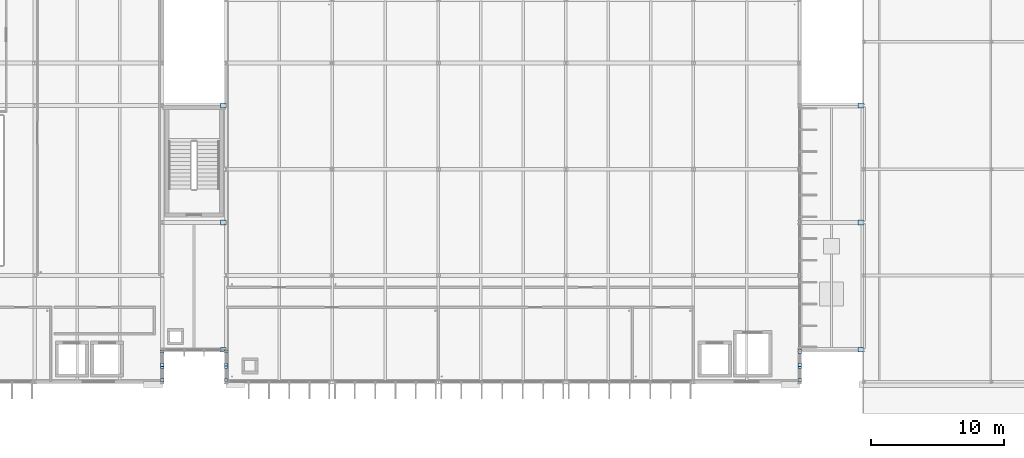
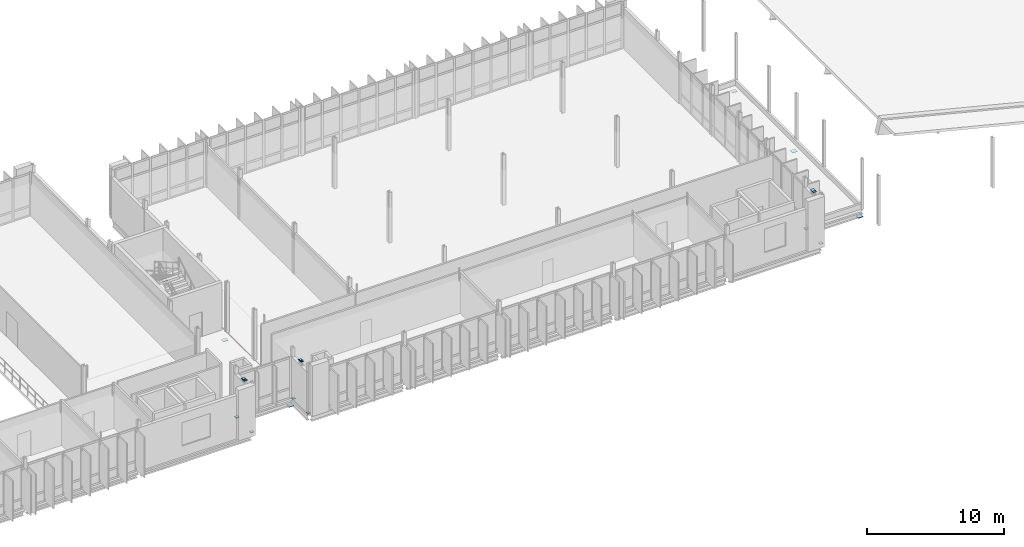
# One storey, part 49 of 93: 18 plates.
"""IFC4 building model written with IfcOpenShell, lengths in metres."""

import ifcopenshell
import ifcopenshell.guid

model = None  # the IFC model being written
_history = None  # IfcOwnerHistory: only IFC2X3 demands one
_inside = {}  # id of a spatial element -> (the spatial element, [elements in it])
_under = {}  # id of a project, library or spatial element -> (it, [spatial elements below it])
_declared = {}  # id of a project -> (the project, [libraries it declares])
_typed = {}  # id of a type object -> (the type object, [elements of that type])
_made_of = {}  # id of a material, layer set ... -> (it, [elements and type objects made of it])


def new_model(schema):
    """Start an empty IFC model of exactly this schema.

    Asked for "IFC4X3", IfcOpenShell would pick the latest addendum, in which some entities
    have other attributes; the version numbers below select the first issue.
    IFC2X3 requires an IfcOwnerHistory on every rooted entity: one is made here for all.
    """
    global model, _history
    if schema == "IFC4X3":
        model = ifcopenshell.file(schema_version=(4, 3, 0, 0))
    else:
        model = ifcopenshell.file(schema=schema)
    _inside.clear()
    _under.clear()
    _declared.clear()
    _typed.clear()
    _made_of.clear()
    _history = None
    if model.schema == "IFC2X3":
        org = make("IfcOrganization", Name="unknown")
        user = make(
            "IfcPersonAndOrganization",
            ThePerson=make("IfcPerson", FamilyName="unknown"),
            TheOrganization=org,
        )
        app = make(
            "IfcApplication",
            ApplicationDeveloper=org,
            Version="unknown",
            ApplicationFullName="unknown",
            ApplicationIdentifier="unknown",
        )
        _history = make(
            "IfcOwnerHistory",
            OwningUser=user,
            OwningApplication=app,
            ChangeAction="ADDED",
            CreationDate=0,
        )
    return model


def make(cls, **values):
    """One entity of the class cls with the attributes given. An attribute that is None is left unset."""
    return model.create_entity(
        cls, **{name: value for name, value in values.items() if value is not None}
    )


def rooted(cls, **values):
    """An entity with a GlobalId (a new one), such as an element, a storey or a relation."""
    return make(cls, GlobalId=ifcopenshell.guid.new(), OwnerHistory=_history, **values)


def si_unit(unit_type, name, prefix=None):
    """IfcSIUnit, for example si_unit("LENGTHUNIT", "METRE", prefix="MILLI")."""
    return make("IfcSIUnit", UnitType=unit_type, Prefix=prefix, Name=name)


def assignment(units):
    """IfcUnitAssignment: the units of a project."""
    return None if units is None else make("IfcUnitAssignment", Units=units)


def point(xyz):
    """IfcCartesianPoint."""
    return None if xyz is None else make("IfcCartesianPoint", Coordinates=xyz)


def direction(xyz):
    """IfcDirection."""
    return None if xyz is None else make("IfcDirection", DirectionRatios=xyz)


def frame(location, z_axis=None, x_axis=None):
    """IfcAxis2Placement3D, a coordinate frame: its origin and axes. An axis left out is left unset."""
    return make(
        "IfcAxis2Placement3D",
        Location=point(location),
        Axis=direction(z_axis),
        RefDirection=direction(x_axis),
    )


def frame_2d(location, x_axis=None):
    """IfcAxis2Placement2D, a coordinate frame in the plane: its origin and x axis."""
    return make(
        "IfcAxis2Placement2D", Location=point(location), RefDirection=direction(x_axis)
    )


def origin():
    """The frame at (0, 0, 0) with its axes left unset."""
    return frame((0.0, 0.0, 0.0))


def origin_2d():
    """The frame at (0, 0) in the plane with its x axis left unset."""
    return frame_2d((0.0, 0.0))


def place(relative_to, where):
    """IfcLocalPlacement: puts the frame where relative to a parent placement (None: the world)."""
    return make(
        "IfcLocalPlacement", PlacementRelTo=relative_to, RelativePlacement=where
    )


def context(
    kind, dimensions, precision=None, world=None, true_north=None, identifier=None
):
    """IfcGeometricRepresentationContext, for example the 3D "Model" context."""
    return make(
        "IfcGeometricRepresentationContext",
        ContextIdentifier=identifier,
        ContextType=kind,
        CoordinateSpaceDimension=dimensions,
        Precision=precision,
        WorldCoordinateSystem=world,
        TrueNorth=true_north,
    )


def subcontext(parent, identifier, kind, view, scale=None):
    """IfcGeometricRepresentationSubContext, for example "Body" below "Model"."""
    return make(
        "IfcGeometricRepresentationSubContext",
        ContextIdentifier=identifier,
        ContextType=kind,
        ParentContext=parent,
        TargetScale=scale,
        TargetView=view,
    )


def project(units=None, contexts=None):
    """IfcProject with its units and contexts."""
    return rooted(
        "IfcProject",
        Name="project",
        RepresentationContexts=contexts,
        UnitsInContext=assignment(units),
    )


def spatial(cls, under=None, at=None, **own):
    """A site, building, storey or space (cls), placed at a placement, below another one or the project."""
    s = rooted(cls, ObjectPlacement=at, **own)
    if under is not None:
        _under.setdefault(under.id(), (under, []))[1].append(s)
    return s


def profile(cls, at=None, kind="AREA", **sizes):
    """A parametric profile (cls). Its sizes go by their IFC names, for example OverallWidth=200.0."""
    return make(cls, ProfileType=kind, Position=at, **sizes)


def rectangle(**sizes):
    """IfcRectangleProfileDef."""
    return profile("IfcRectangleProfileDef", **sizes)


def extrude(swept, where, along, depth):
    """IfcExtrudedAreaSolid: the profile swept, set in the frame where, extruded along a direction by depth."""
    return make(
        "IfcExtrudedAreaSolid",
        SweptArea=swept,
        Position=where,
        ExtrudedDirection=direction(along),
        Depth=depth,
    )


def shape(context_of_items, identifier, shape_type, items):
    """IfcShapeRepresentation: the items that make up one representation, for example the "Body"."""
    return make(
        "IfcShapeRepresentation",
        ContextOfItems=context_of_items,
        RepresentationIdentifier=identifier,
        RepresentationType=shape_type,
        Items=items,
    )


def material(Name=None, Category=None):
    """IfcMaterial."""
    return make("IfcMaterial", Name=Name, Category=Category)


def layer(
    of_material, thickness, ventilated=None, Name=None, Category=None, Priority=None
):
    """IfcMaterialLayer: one layer of a wall or slab, of a material (None: an air gap)."""
    return make(
        "IfcMaterialLayer",
        Material=of_material,
        LayerThickness=thickness,
        IsVentilated=ventilated,
        Name=Name,
        Category=Category,
        Priority=Priority,
    )


def layer_set(layers, Name=None):
    """IfcMaterialLayerSet."""
    return make("IfcMaterialLayerSet", MaterialLayers=layers, LayerSetName=Name)


def made_of(thing, what):
    """Note that an element or type object is made of a material, layer set ...; save() writes the relation."""
    if what is not None:
        _made_of.setdefault(what.id(), (what, []))[1].append(thing)
    return thing


def type_object(cls, material=None, **own):
    """A type object (cls), such as IfcWallType, which elements share."""
    return made_of(rooted(cls, **own), material)


def element(
    cls,
    number,
    at=None,
    inside=None,
    cuts=None,
    type_object=None,
    material=None,
    context=None,
    identifier="Body",
    shape_type=None,
    held_by="IfcProductDefinitionShape",
    body=None,
    shapes=None,
    **own,
):
    """One element of the class cls, such as IfcWall. Its Tag is "e" and its number.

    at: its placement. inside: the storey or other place that contains it. cuts: it is an
    opening in that element (IfcRelVoidsElement). A single representation is given by context,
    identifier, shape_type and body (its items); several are given by shapes. held_by: the class
    of the entity that holds the representations. save() writes the other relations.
    """
    e = rooted(cls, Tag="e%d" % number, ObjectPlacement=at, **own)
    if body is not None:
        shapes = [shape(context, identifier, shape_type, body)]
    if shapes is not None:
        e.Representation = make(held_by, Representations=shapes)
    if inside is not None:
        _inside.setdefault(inside.id(), (inside, []))[1].append(e)
    if cuts is not None:
        rooted(
            "IfcRelVoidsElement", RelatingBuildingElement=cuts, RelatedOpeningElement=e
        )
    if type_object is not None:
        _typed.setdefault(type_object.id(), (type_object, []))[1].append(e)
    return made_of(e, material)


def aggregate(whole, parts):
    """IfcRelAggregates: a whole, such as a stair, and the parts it consists of."""
    return rooted("IfcRelAggregates", RelatingObject=whole, RelatedObjects=parts)


def save(model, path):
    """Write the relations noted so far, then the file.

    IfcRelAggregates (storeys below a building ...), IfcRelContainedInSpatialStructure (elements
    in a storey), IfcRelDefinesByType, IfcRelAssociatesMaterial and IfcRelDeclares: one each for
    every whole, place, type object, material and project.
    """
    for whole, parts in _under.values():
        aggregate(whole, parts)
    for where, things in _inside.values():
        rooted(
            "IfcRelContainedInSpatialStructure",
            RelatedElements=things,
            RelatingStructure=where,
        )
    for kind, things in _typed.values():
        rooted("IfcRelDefinesByType", RelatedObjects=things, RelatingType=kind)
    for what, things in _made_of.values():
        rooted("IfcRelAssociatesMaterial", RelatedObjects=things, RelatingMaterial=what)
    for by, libraries in _declared.values():
        rooted("IfcRelDeclares", RelatingContext=by, RelatedDefinitions=libraries)
    model.write(path)


model = new_model("IFC4")

# Units and contexts
model_context = context("Model", 3, precision=1e-05, world=origin(), true_north=direction((0.0, 1.0)))
body_context = subcontext(model_context, "Body", "Model", "MODEL_VIEW")
ifc_project = project(units=[si_unit("LENGTHUNIT", "METRE"), si_unit("AREAUNIT", "SQUARE_METRE"), si_unit("VOLUMEUNIT", "CUBIC_METRE"), si_unit("PLANEANGLEUNIT", "RADIAN"), si_unit("MASSUNIT", "GRAM", prefix="KILO")], contexts=[model_context])

# Site, building, storey
site_placement = place(None, origin())
site = spatial("IfcSite", under=ifc_project, at=site_placement, CompositionType="ELEMENT")
building_placement = place(site_placement, origin())
building = spatial("IfcBuilding", under=site, at=building_placement, Name="Dunescarp Central Library", CompositionType="ELEMENT")
storey_placement = place(building_placement, frame((0.0, 0.0, 14.10009765625)))
storey = spatial("IfcBuildingStorey", under=building, at=storey_placement, Name="L03", CompositionType="ELEMENT", Elevation=14.10009765625)

# Plates
ifc_material = material(Name="Steel S355J0", Category="steel")
ifc_layer_1 = layer(ifc_material, 0.02001953125)
ifc_layer_set_1 = layer_set([ifc_layer_1], Name="Steel S355J0")
plate_type_1 = type_object("IfcPlateType", Name="STR-PLT-GUS1", PredefinedType="USERDEFINED", material=ifc_layer_set_1)
for number, where, z_axis, x_axis, name in (
    (1, (76.800048828125, 4.919921875, -0.01806640625), (0.0, 0.0, 1.0), (1.0, 0.0, 0.0), "Brace foot gusset plate GP-057"),
    (2, (76.800048828125, 7.080078125, -0.01806640625), (0.0, 0.0, 1.0), (1.0, 0.0, 0.0), "Brace foot gusset plate GP-059"),
):
    element("IfcPlate", number, at=place(storey_placement, frame(where, z_axis=z_axis, x_axis=x_axis)), inside=storey, type_object=plate_type_1, Name=name, ObjectType="GUSSET_PLATE", PredefinedType="USERDEFINED", context=body_context, shape_type="SweptSolid", body=[
        extrude(rectangle(XDim=0.25390625, YDim=0.25390625, at=origin_2d()), origin(), (0.0, 0.0, 1.0), 0.035888671875),
    ])
for number, where, z_axis, x_axis, name in (
    (3, (81.60009765625, 4.919921875, -0.01806640625), (0.0, 0.0, 1.0), (1.0, 0.0, 0.0), "Brace foot gusset plate GP-077"),
    (4, (81.60009765625, 7.080078125, -0.01806640625), (0.0, 0.0, 1.0), (1.0, 0.0, 0.0), "Brace foot gusset plate GP-079"),
):
    element("IfcPlate", number, at=place(storey_placement, frame(where, z_axis=z_axis, x_axis=x_axis)), inside=storey, type_object=plate_type_1, Name=name, ObjectType="GUSSET_PLATE", PredefinedType="USERDEFINED", context=body_context, shape_type="SweptSolid", body=[
        extrude(rectangle(XDim=0.22802734375, YDim=0.22802734375, at=origin_2d()), origin(), (0.0, 0.0, 1.0), 0.035888671875),
    ])
for number, where, z_axis, x_axis, name in (
    (5, (124.800048828125, 4.919921875, -0.01806640625), (0.0, 0.0, 1.0), (1.0, 0.0, 0.0), "Brace foot gusset plate GP-093"),
    (6, (124.800048828125, 7.080078125, -0.01806640625), (0.0, 0.0, 1.0), (1.0, 0.0, 0.0), "Brace foot gusset plate GP-095"),
):
    element("IfcPlate", number, at=place(storey_placement, frame(where, z_axis=z_axis, x_axis=x_axis)), inside=storey, type_object=plate_type_1, Name=name, ObjectType="GUSSET_PLATE", PredefinedType="USERDEFINED", context=body_context, shape_type="SweptSolid", body=[
        extrude(rectangle(XDim=0.279052734375, YDim=0.279052734375, at=origin_2d()), origin(), (0.0, 0.0, 1.0), 0.035888671875),
    ])
ifc_layer_2 = layer(ifc_material, 0.01611328125)
ifc_layer_set_2 = layer_set([ifc_layer_2], Name="Steel S355J0")
plate_type_2 = type_object("IfcPlateType", Name="STR-PLT-GUS2", PredefinedType="USERDEFINED", material=ifc_layer_set_2)
for number, where, z_axis, x_axis, name in (
    (7, (76.800048828125, 5.919921875, 3.9921875), (0.0, 0.0, 1.0), (1.0, 0.0, 0.0), "Brace apex gusset plate GP-058"),
    (8, (76.800048828125, 6.080078125, 3.9921875), (0.0, 0.0, 1.0), (1.0, 0.0, 0.0), "Brace apex gusset plate GP-060"),
):
    element("IfcPlate", number, at=place(storey_placement, frame(where, z_axis=z_axis, x_axis=x_axis)), inside=storey, type_object=plate_type_2, Name=name, ObjectType="GUSSET_PLATE", PredefinedType="USERDEFINED", context=body_context, shape_type="SweptSolid", body=[
        extrude(rectangle(XDim=0.25390625, YDim=0.25390625, at=origin_2d()), origin(), (0.0, 0.0, 1.0), 0.035888671875),
    ])
for number, where, z_axis, x_axis, name in (
    (9, (81.60009765625, 5.919921875, 3.9921875), (0.0, 0.0, 1.0), (1.0, 0.0, 0.0), "Brace apex gusset plate GP-078"),
    (10, (81.60009765625, 6.080078125, 3.9921875), (0.0, 0.0, 1.0), (1.0, 0.0, 0.0), "Brace apex gusset plate GP-080"),
):
    element("IfcPlate", number, at=place(storey_placement, frame(where, z_axis=z_axis, x_axis=x_axis)), inside=storey, type_object=plate_type_2, Name=name, ObjectType="GUSSET_PLATE", PredefinedType="USERDEFINED", context=body_context, shape_type="SweptSolid", body=[
        extrude(rectangle(XDim=0.22802734375, YDim=0.22802734375, at=origin_2d()), origin(), (0.0, 0.0, 1.0), 0.035888671875),
    ])
for number, where, z_axis, x_axis, name in (
    (11, (124.800048828125, 5.919921875, 3.9921875), (0.0, 0.0, 1.0), (1.0, 0.0, 0.0), "Brace apex gusset plate GP-094"),
    (12, (124.800048828125, 6.080078125, 3.9921875), (0.0, 0.0, 1.0), (1.0, 0.0, 0.0), "Brace apex gusset plate GP-096"),
):
    element("IfcPlate", number, at=place(storey_placement, frame(where, z_axis=z_axis, x_axis=x_axis)), inside=storey, type_object=plate_type_2, Name=name, ObjectType="GUSSET_PLATE", PredefinedType="USERDEFINED", context=body_context, shape_type="SweptSolid", body=[
        extrude(rectangle(XDim=0.279052734375, YDim=0.279052734375, at=origin_2d()), origin(), (0.0, 0.0, 1.0), 0.035888671875),
    ])
ifc_layer_3 = layer(ifc_material, 0.0400390625)
ifc_layer_set_3 = layer_set([ifc_layer_3], Name="Steel S355J0")
plate_type_3 = type_object("IfcPlateType", Name="STR-PLT-SEAT420", PredefinedType="USERDEFINED", material=ifc_layer_set_3)
for number, where, z_axis, x_axis, name in (
    (13, (81.389892578125, 7.199951171875, -0.670166015625), (0.0, 0.0, 1.0), (1.0, 0.0, 0.0), "L03 GL2 420 mm sliding link bearing seat BRG-02"),
    (14, (81.389892578125, 16.800048828125, -0.670166015625), (0.0, 0.0, 1.0), (1.0, 0.0, 0.0), "L03 GL2 420 mm sliding link bearing seat BRG-02"),
    (15, (81.389892578125, 25.60009765625, -0.670166015625), (0.0, 0.0, 1.0), (1.0, 0.0, 0.0), "L03 GL2 420 mm sliding link bearing seat BRG-02"),
    (16, (129.389892578125, 7.199951171875, -0.630126953125), (0.0, 0.0, 1.0), (1.0, 0.0, 0.0), "L03 GL3 420 mm sliding link bearing seat BRG-03"),
    (17, (129.389892578125, 16.800048828125, -0.630126953125), (0.0, 0.0, 1.0), (1.0, 0.0, 0.0), "L03 GL3 420 mm sliding link bearing seat BRG-03"),
    (18, (129.389892578125, 25.60009765625, -0.630126953125), (0.0, 0.0, 1.0), (1.0, 0.0, 0.0), "L03 GL3 420 mm sliding link bearing seat BRG-03"),
):
    element("IfcPlate", number, at=place(storey_placement, frame(where, z_axis=z_axis, x_axis=x_axis)), inside=storey, type_object=plate_type_3, Name=name, ObjectType="BASE_PLATE", PredefinedType="USERDEFINED", context=body_context, shape_type="SweptSolid", body=[
        extrude(rectangle(XDim=0.419921875, YDim=0.360107421875, at=origin_2d()), origin(), (0.0, 0.0, 1.0), 0.0400390625),
    ])

save(model, "model.ifc")
